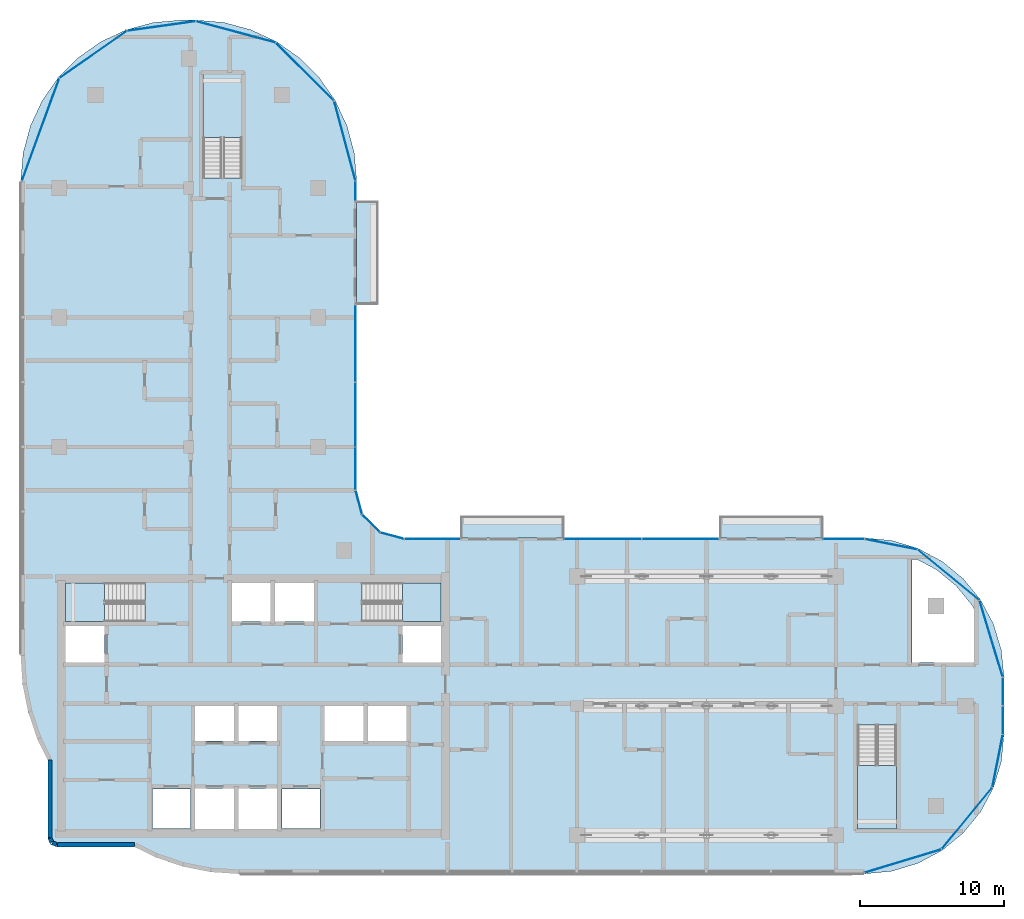
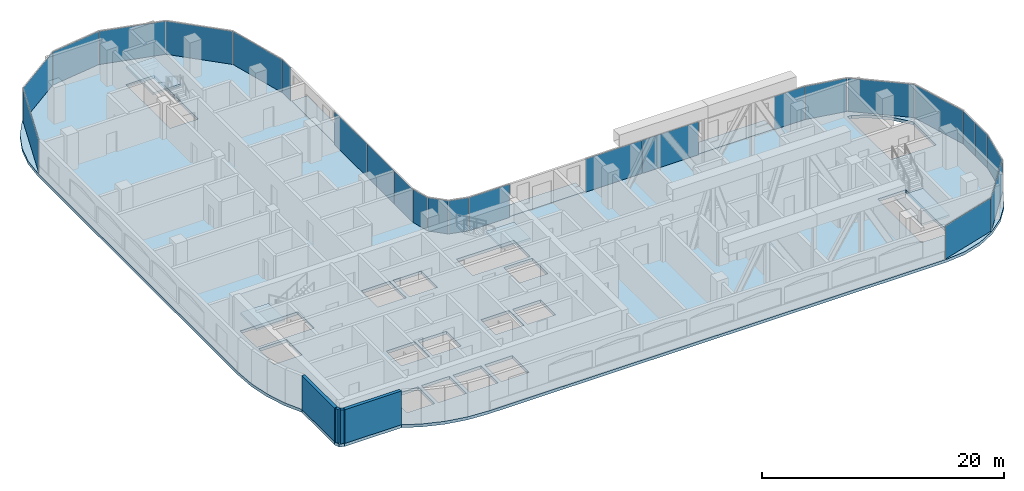
# One storey, part 8 of 25: 25 plates, 8 slabs, 4 walls, 14 elements without a shape of their own.
"""IFC4 building model written with IfcOpenShell, lengths in metres."""

from ifc_helpers import new_model, si_unit, direction, frame, frame_2d, origin, origin_2d, place, context, subcontext, project, spatial, polyline, rectangle, outline, extrude, material, layer, layer_set, type_object, element, aggregate, save


model = new_model("IFC4")

# Units and contexts
model_context = context("Model", 3, precision=1e-05, world=origin(), true_north=direction((0.0, 1.0)))
body_context = subcontext(model_context, "Body", "Model", "MODEL_VIEW")
ifc_project = project(units=[si_unit("LENGTHUNIT", "METRE"), si_unit("AREAUNIT", "SQUARE_METRE"), si_unit("VOLUMEUNIT", "CUBIC_METRE"), si_unit("PLANEANGLEUNIT", "RADIAN"), si_unit("MASSUNIT", "GRAM", prefix="KILO")], contexts=[model_context])

# Site, building, storey
site_placement = place(None, origin())
site = spatial("IfcSite", under=ifc_project, at=site_placement, CompositionType="ELEMENT")
building_placement = place(site_placement, origin())
building = spatial("IfcBuilding", under=site, at=building_placement, Name="Ogive Portal Towers", CompositionType="ELEMENT")
storey_placement = place(building_placement, frame((0.0, 0.0, 182.89990234375)))
storey = spatial("IfcBuildingStorey", under=building, at=storey_placement, Name="L45", CompositionType="ELEMENT", Elevation=182.89990234375)

# Slabs
ifc_material_1 = material(Name="Concrete C40/50", Category="concrete")
ifc_layer_1 = layer(ifc_material_1, 0.199951171875)
ifc_layer_set_1 = layer_set([ifc_layer_1], Name="BALCONY SLAB 200")
slab_type_1 = type_object("IfcSlabType", Name="BALCONY SLAB 200", PredefinedType="FLOOR", material=ifc_layer_set_1)
slab_1_placement = place(storey_placement, frame((0.0, 0.0, -0.199951171875)))
element("IfcSlab", 1, at=slab_1_placement, inside=storey, type_object=slab_type_1, Name="Balcony T1", PredefinedType="FLOOR", context=body_context, shape_type="SweptSolid", body=[
    extrude(outline(polyline([(59.39990234375, 42.179931640625), (66.60009765625, 42.179931640625), (66.60009765625, 43.679931640625), (59.39990234375, 43.679931640625), (59.39990234375, 42.179931640625)])), origin(), (0.0, 0.0, 1.0), 0.199951171875),
])
slab_2_placement = place(storey_placement, frame((0.0, 0.0, -0.199951171875)))
element("IfcSlab", 2, at=slab_2_placement, inside=storey, type_object=slab_type_1, Name="Balcony T3", PredefinedType="FLOOR", context=body_context, shape_type="SweptSolid", body=[
    extrude(outline(polyline([(77.39990234375, 42.179931640625), (84.60009765625, 42.179931640625), (84.60009765625, 43.679931640625), (77.39990234375, 43.679931640625), (77.39990234375, 42.179931640625)])), origin(), (0.0, 0.0, 1.0), 0.199951171875),
])
slab_3_placement = place(storey_placement, frame((0.0, 0.0, -0.199951171875)))
element("IfcSlab", 3, at=slab_3_placement, inside=storey, type_object=slab_type_1, Name="Balcony S2", PredefinedType="FLOOR", context=body_context, shape_type="SweptSolid", body=[
    extrude(outline(polyline([(52.179931640625, 58.39990234375), (53.679931640625, 58.39990234375), (53.679931640625, 65.60009765625), (52.179931640625, 65.60009765625), (52.179931640625, 58.39990234375)])), origin(), (0.0, 0.0, 1.0), 0.199951171875),
])

# Curtain wall, plates
ifc_material_2 = material(Name="Glass, clear low-iron insulated glazing", Category="glass")
curtain_wall_type = type_object("IfcCurtainWallType", Name="CW FRONT RIBBON 4500", PredefinedType="NOTDEFINED", material=ifc_material_2)
curtain_wall_1_placement = place(storey_placement, origin())
curtain_wall_1 = element("IfcCurtainWall", 4, at=curtain_wall_1_placement, inside=storey, type_object=curtain_wall_type, Name="A:L45:f12:cw0", PredefinedType="NOTDEFINED")
ifc_layer_2 = layer(ifc_material_2, 0.028076171875)
ifc_layer_set_2 = layer_set([ifc_layer_2], Name="CW PANEL IGU 28")
plate_type = type_object("IfcPlateType", Name="CW PANEL IGU 28", PredefinedType="CURTAIN_PANEL", material=ifc_layer_set_2)
plate_1_placement = place(storey_placement, frame((97.10009765625, 29.50390625, 0.0), z_axis=(0.0, 0.0, 1.0), x_axis=(0.0, 1.0, 0.0)))
plate_1 = element("IfcPlate", 5, at=plate_1_placement, type_object=plate_type, Name="panel", PredefinedType="CURTAIN_PANEL", context=body_context, shape_type="SweptSolid", body=[
    extrude(rectangle(XDim=1.93212890625, YDim=0.028076171875, at=origin_2d()), origin(), (0.0, 0.0, 1.0), 3.340087890625),
])
plate_2_placement = place(storey_placement, frame((97.10009765625, 31.494140625, 0.0), z_axis=(0.0, 0.0, 1.0), x_axis=(0.0, 1.0, 0.0)))
plate_2 = element("IfcPlate", 6, at=plate_2_placement, type_object=plate_type, Name="panel", PredefinedType="CURTAIN_PANEL", context=body_context, shape_type="SweptSolid", body=[
    extrude(rectangle(XDim=1.92822265625, YDim=0.028076171875, at=origin_2d()), origin(), (0.0, 0.0, 1.0), 3.340087890625),
])
aggregate(curtain_wall_1, [plate_1, plate_2])

# Curtain wall, plate
curtain_wall_2_placement = place(storey_placement, origin())
curtain_wall_2 = element("IfcCurtainWall", 7, at=curtain_wall_2_placement, inside=storey, type_object=curtain_wall_type, Name="A:L45:f16:cw0", PredefinedType="NOTDEFINED")
plate_3_placement = place(storey_placement, frame((86.0419921875, 42.10009765625, 0.0), z_axis=(0.0, 0.0, 1.0), x_axis=(-1.0, 0.0, 0.0)))
plate_3 = element("IfcPlate", 8, at=plate_3_placement, type_object=plate_type, Name="panel", PredefinedType="CURTAIN_PANEL", context=body_context, shape_type="SweptSolid", body=[
    extrude(rectangle(XDim=2.84033203125, YDim=0.028076171875, at=origin_2d()), origin(), (0.0, 0.0, 1.0), 3.340087890625),
])
aggregate(curtain_wall_2, [plate_3])

# Curtain wall, plates
curtain_wall_3_placement = place(storey_placement, origin())
curtain_wall_3 = element("IfcCurtainWall", 9, at=curtain_wall_3_placement, inside=storey, type_object=curtain_wall_type, Name="A:L45:f16:cw1", PredefinedType="NOTDEFINED")
plate_4_placement = place(storey_placement, frame((74.695556640625, 42.10009765625, 0.0), z_axis=(0.0, 0.0, 1.0), x_axis=(-1.0, 0.0, 0.0)))
plate_4 = element("IfcPlate", 10, at=plate_4_placement, type_object=plate_type, Name="panel", PredefinedType="CURTAIN_PANEL", context=body_context, shape_type="SweptSolid", body=[
    extrude(rectangle(XDim=5.331298828125, YDim=0.028076171875, at=origin_2d()), origin(), (0.0, 0.0, 1.0), 3.340087890625),
])
plate_5_placement = place(storey_placement, frame((69.295166015625, 42.10009765625, 0.0), z_axis=(0.0, 0.0, 1.0), x_axis=(-1.0, 0.0, 0.0)))
plate_5 = element("IfcPlate", 11, at=plate_5_placement, type_object=plate_type, Name="panel", PredefinedType="CURTAIN_PANEL", context=body_context, shape_type="SweptSolid", body=[
    extrude(rectangle(XDim=5.349609375, YDim=0.028076171875, at=origin_2d()), origin(), (0.0, 0.0, 1.0), 3.340087890625),
])
aggregate(curtain_wall_3, [plate_4, plate_5])

# Curtain wall, plate
curtain_wall_4_placement = place(storey_placement, origin())
curtain_wall_4 = element("IfcCurtainWall", 12, at=curtain_wall_4_placement, inside=storey, type_object=curtain_wall_type, Name="A:L45:f16:cw2", PredefinedType="NOTDEFINED")
plate_6_placement = place(storey_placement, frame((57.439697265625, 42.10009765625, 0.0), z_axis=(0.0, 0.0, 1.0), x_axis=(-1.0, 0.0, 0.0)))
plate_6 = element("IfcPlate", 13, at=plate_6_placement, type_object=plate_type, Name="panel", PredefinedType="CURTAIN_PANEL", context=body_context, shape_type="SweptSolid", body=[
    extrude(rectangle(XDim=3.84033203125, YDim=0.028076171875, at=origin_2d()), origin(), (0.0, 0.0, 1.0), 3.340087890625),
])
aggregate(curtain_wall_4, [plate_6])

# Curtain wall, plates
curtain_wall_5_placement = place(storey_placement, origin())
curtain_wall_5 = element("IfcCurtainWall", 14, at=curtain_wall_5_placement, inside=storey, type_object=curtain_wall_type, Name="A:L45:f20:cw0", PredefinedType="NOTDEFINED")
plate_7_placement = place(storey_placement, frame((52.10009765625, 46.99462890625, 0.0), z_axis=(0.0, 0.0, 1.0), x_axis=(0.0, 1.0, 0.0)))
plate_7 = element("IfcPlate", 15, at=plate_7_placement, type_object=plate_type, Name="panel", PredefinedType="CURTAIN_PANEL", context=body_context, shape_type="SweptSolid", body=[
    extrude(rectangle(XDim=2.950439453125, YDim=0.028076171875, at=origin_2d()), origin(), (0.0, 0.0, 1.0), 3.340087890625),
])
plate_8_placement = place(storey_placement, frame((52.10009765625, 50.75, 0.0), z_axis=(0.0, 0.0, 1.0), x_axis=(0.0, 1.0, 0.0)))
plate_8 = element("IfcPlate", 16, at=plate_8_placement, type_object=plate_type, Name="panel", PredefinedType="CURTAIN_PANEL", context=body_context, shape_type="SweptSolid", body=[
    extrude(rectangle(XDim=4.43994140625, YDim=0.028076171875, at=origin_2d()), origin(), (0.0, 0.0, 1.0), 3.340087890625),
])
plate_9_placement = place(storey_placement, frame((52.10009765625, 55.69482421875, 0.0), z_axis=(0.0, 0.0, 1.0), x_axis=(0.0, 1.0, 0.0)))
plate_9 = element("IfcPlate", 17, at=plate_9_placement, type_object=plate_type, Name="panel", PredefinedType="CURTAIN_PANEL", context=body_context, shape_type="SweptSolid", body=[
    extrude(rectangle(XDim=5.32958984375, YDim=0.028076171875, at=origin_2d()), origin(), (0.0, 0.0, 1.0), 3.340087890625),
])
aggregate(curtain_wall_5, [plate_7, plate_8, plate_9])

# Curtain wall, plate
curtain_wall_6_placement = place(storey_placement, origin())
curtain_wall_6 = element("IfcCurtainWall", 18, at=curtain_wall_6_placement, inside=storey, type_object=curtain_wall_type, Name="A:L45:f20:cw1", PredefinedType="NOTDEFINED")
plate_10_placement = place(storey_placement, frame((52.10009765625, 66.28955078125, 0.0), z_axis=(0.0, 0.0, 1.0), x_axis=(0.0, 1.0, 0.0)))
plate_10 = element("IfcPlate", 19, at=plate_10_placement, type_object=plate_type, Name="panel", PredefinedType="CURTAIN_PANEL", context=body_context, shape_type="SweptSolid", body=[
    extrude(rectangle(XDim=1.340087890625, YDim=0.028076171875, at=origin_2d()), origin(), (0.0, 0.0, 1.0), 3.340087890625),
])
aggregate(curtain_wall_6, [plate_10])

# Curtain wall, plates
curtain_wall_7_placement = place(storey_placement, origin())
curtain_wall_7 = element("IfcCurtainWall", 20, at=curtain_wall_7_placement, inside=storey, type_object=curtain_wall_type, Name="A:L45:f09:cwa", PredefinedType="NOTDEFINED")
plate_11_placement = place(storey_placement, frame((90.159912109375, 19.71044921875, 0.0), z_axis=(0.0, 0.0, 1.0), x_axis=(0.956940335732, 0.290284677254, 0.0)))
plate_11 = element("IfcPlate", 21, at=plate_11_placement, type_object=plate_type, Name="panel", PredefinedType="CURTAIN_PANEL", context=body_context, shape_type="SweptSolid", body=[
    extrude(rectangle(XDim=5.523681640625, YDim=0.028076171875, at=origin_2d()), origin(), (0.0, 0.0, 1.0), 3.340087890625),
])
plate_12_placement = place(storey_placement, frame((94.60009765625, 22.67578125, 0.0), z_axis=(0.0, 0.0, 1.0), x_axis=(0.634393284164, 0.773010453363, 0.0)))
plate_12 = element("IfcPlate", 22, at=plate_12_placement, type_object=plate_type, Name="panel", PredefinedType="CURTAIN_PANEL", context=body_context, shape_type="SweptSolid", body=[
    extrude(rectangle(XDim=5.515625, YDim=0.028076171875, at=origin_2d()), origin(), (0.0, 0.0, 1.0), 3.340087890625),
])
plate_13_placement = place(storey_placement, frame((96.734375, 26.66943359375, 0.0), z_axis=(0.0, 0.0, 1.0), x_axis=(0.195090322016, 0.980785280403, 0.0)))
plate_13 = element("IfcPlate", 23, at=plate_13_placement, type_object=plate_type, Name="panel", PredefinedType="CURTAIN_PANEL", context=body_context, shape_type="SweptSolid", body=[
    extrude(rectangle(XDim=3.68896484375, YDim=0.028076171875, at=origin_2d()), origin(), (0.0, 0.0, 1.0), 3.340087890625),
])
aggregate(curtain_wall_7, [plate_11, plate_12, plate_13])

curtain_wall_8_placement = place(storey_placement, origin())
curtain_wall_8 = element("IfcCurtainWall", 24, at=curtain_wall_8_placement, inside=storey, type_object=curtain_wall_type, Name="A:L45:f13:cwa", PredefinedType="NOTDEFINED")
plate_14_placement = place(storey_placement, frame((96.28955078125, 35.159912109375, 0.0), z_axis=(0.0, 0.0, 1.0), x_axis=(-0.290284677254, 0.956940335732, 0.0)))
plate_14 = element("IfcPlate", 25, at=plate_14_placement, type_object=plate_type, Name="panel", PredefinedType="CURTAIN_PANEL", context=body_context, shape_type="SweptSolid", body=[
    extrude(rectangle(XDim=5.523681640625, YDim=0.028076171875, at=origin_2d()), origin(), (0.0, 0.0, 1.0), 3.340087890625),
])
plate_15_placement = place(storey_placement, frame((93.32421875, 39.60009765625, 0.0), z_axis=(0.0, 0.0, 1.0), x_axis=(-0.773010453363, 0.634393284164, 0.0)))
plate_15 = element("IfcPlate", 26, at=plate_15_placement, type_object=plate_type, Name="panel", PredefinedType="CURTAIN_PANEL", context=body_context, shape_type="SweptSolid", body=[
    extrude(rectangle(XDim=5.515625, YDim=0.028076171875, at=origin_2d()), origin(), (0.0, 0.0, 1.0), 3.340087890625),
])
plate_16_placement = place(storey_placement, frame((89.33056640625, 41.734375, 0.0), z_axis=(0.0, 0.0, 1.0), x_axis=(-0.980785280403, 0.195090322016, 0.0)))
plate_16 = element("IfcPlate", 27, at=plate_16_placement, type_object=plate_type, Name="panel", PredefinedType="CURTAIN_PANEL", context=body_context, shape_type="SweptSolid", body=[
    extrude(rectangle(XDim=3.68896484375, YDim=0.028076171875, at=origin_2d()), origin(), (0.0, 0.0, 1.0), 3.340087890625),
])
aggregate(curtain_wall_8, [plate_14, plate_15, plate_16])

curtain_wall_9_placement = place(storey_placement, origin())
curtain_wall_9 = element("IfcCurtainWall", 28, at=curtain_wall_9_placement, inside=storey, type_object=curtain_wall_type, Name="A:L45:f17:cwa", PredefinedType="NOTDEFINED")
plate_17_placement = place(storey_placement, frame((54.64404296875, 42.326416015625, 0.0), z_axis=(0.0, 0.0, 1.0), x_axis=(-0.965925826289, 0.258819045103, 0.0)))
plate_17 = element("IfcPlate", 29, at=plate_17_placement, type_object=plate_type, Name="panel", PredefinedType="CURTAIN_PANEL", context=body_context, shape_type="SweptSolid", body=[
    extrude(rectangle(XDim=1.6904296875, YDim=0.028076171875, at=origin_2d()), origin(), (0.0, 0.0, 1.0), 3.340087890625),
])
plate_18_placement = place(storey_placement, frame((53.17578125, 43.17578125, 0.0), z_axis=(0.0, 0.0, 1.0), x_axis=(-0.707106781187, 0.707106781187, 0.0)))
plate_18 = element("IfcPlate", 30, at=plate_18_placement, type_object=plate_type, Name="panel", PredefinedType="CURTAIN_PANEL", context=body_context, shape_type="SweptSolid", body=[
    extrude(rectangle(XDim=1.701416015625, YDim=0.028076171875, at=origin_2d()), origin(), (0.0, 0.0, 1.0), 3.340087890625),
])
plate_19_placement = place(storey_placement, frame((52.326416015625, 44.64404296875, 0.0), z_axis=(0.0, 0.0, 1.0), x_axis=(-0.258819045103, 0.965925826289, 0.0)))
plate_19 = element("IfcPlate", 31, at=plate_19_placement, type_object=plate_type, Name="panel", PredefinedType="CURTAIN_PANEL", context=body_context, shape_type="SweptSolid", body=[
    extrude(rectangle(XDim=1.6904296875, YDim=0.028076171875, at=origin_2d()), origin(), (0.0, 0.0, 1.0), 3.340087890625),
])
aggregate(curtain_wall_9, [plate_17, plate_18, plate_19])

curtain_wall_10_placement = place(storey_placement, origin())
curtain_wall_10 = element("IfcCurtainWall", 32, at=curtain_wall_10_placement, inside=storey, type_object=curtain_wall_type, Name="A:L45:f21:cwa", PredefinedType="NOTDEFINED")
plate_20_placement = place(storey_placement, frame((51.355224609375, 69.76904296875, 0.0), z_axis=(0.0, 0.0, 1.0), x_axis=(-0.258819045103, 0.965925826289, 0.0)))
plate_20 = element("IfcPlate", 33, at=plate_20_placement, type_object=plate_type, Name="panel", PredefinedType="CURTAIN_PANEL", context=body_context, shape_type="SweptSolid", body=[
    extrude(rectangle(XDim=5.6953125, YDim=0.028076171875, at=origin_2d()), origin(), (0.0, 0.0, 1.0), 3.340087890625),
])
plate_21_placement = place(storey_placement, frame((48.57958984375, 74.57958984375, 0.0), z_axis=(0.0, 0.0, 1.0), x_axis=(-0.707106781187, 0.707106781187, 0.0)))
plate_21 = element("IfcPlate", 34, at=plate_21_placement, type_object=plate_type, Name="panel", PredefinedType="CURTAIN_PANEL", context=body_context, shape_type="SweptSolid", body=[
    extrude(rectangle(XDim=5.684326171875, YDim=0.028076171875, at=origin_2d()), origin(), (0.0, 0.0, 1.0), 3.340087890625),
])
plate_22_placement = place(storey_placement, frame((43.771728515625, 77.3544921875, 0.0), z_axis=(0.0, 0.0, 1.0), x_axis=(-0.965925826289, 0.258819045103, 0.0)))
plate_22 = element("IfcPlate", 35, at=plate_22_placement, type_object=plate_type, Name="panel", PredefinedType="CURTAIN_PANEL", context=body_context, shape_type="SweptSolid", body=[
    extrude(rectangle(XDim=5.689453125, YDim=0.028076171875, at=origin_2d()), origin(), (0.0, 0.0, 1.0), 3.340087890625),
])
plate_23_placement = place(storey_placement, frame((38.6005859375, 77.763916015625, 0.0), z_axis=(0.0, 0.0, 1.0), x_axis=(-0.990372546931, -0.13842766445, 0.0)))
plate_23 = element("IfcPlate", 36, at=plate_23_placement, type_object=plate_type, Name="panel", PredefinedType="CURTAIN_PANEL", context=body_context, shape_type="SweptSolid", body=[
    extrude(rectangle(XDim=4.775146484375, YDim=0.028076171875, at=origin_2d()), origin(), (0.0, 0.0, 1.0), 3.340087890625),
])
plate_24_placement = place(storey_placement, frame((33.854248046875, 75.7822265625, 0.0), z_axis=(0.0, 0.0, 1.0), x_axis=(-0.819152044289, -0.573576436351, 0.0)))
plate_24 = element("IfcPlate", 37, at=plate_24_placement, type_object=plate_type, Name="panel", PredefinedType="CURTAIN_PANEL", context=body_context, shape_type="SweptSolid", body=[
    extrude(rectangle(XDim=5.6826171875, YDim=0.028076171875, at=origin_2d()), origin(), (0.0, 0.0, 1.0), 3.340087890625),
])
plate_25_placement = place(storey_placement, frame((30.201171875, 70.560546875, 0.0), z_axis=(0.0, 0.0, 1.0), x_axis=(-0.342020143326, -0.939692620786, 0.0)))
plate_25 = element("IfcPlate", 38, at=plate_25_placement, type_object=plate_type, Name="panel", PredefinedType="CURTAIN_PANEL", context=body_context, shape_type="SweptSolid", body=[
    extrude(rectangle(XDim=7.54833984375, YDim=0.028076171875, at=origin_2d()), origin(), (0.0, 0.0, 1.0), 3.340087890625),
])
aggregate(curtain_wall_10, [plate_20, plate_21, plate_22, plate_23, plate_24, plate_25])

# Stair, slab
stair_type = type_object("IfcStairType", Name="INT-STAIR", PredefinedType="HALF_TURN_STAIR", material=ifc_material_1)
stair_1_placement = place(storey_placement, origin())
stair_1 = element("IfcStair", 39, at=stair_1_placement, inside=storey, type_object=stair_type, Name="L45 Exit Stair ST-A1", PredefinedType="HALF_TURN_STAIR")
ifc_layer_3 = layer(ifc_material_1, 0.199951171875)
ifc_layer_set_3 = layer_set([ifc_layer_3], Name="INT-LANDING")
slab_type_2 = type_object("IfcSlabType", Name="INT-LANDING", PredefinedType="LANDING", material=ifc_layer_set_3)
slab_4_placement = place(storey_placement, frame((0.0, 0.0, 1.650146484375)))
slab_4 = element("IfcSlab", 40, at=slab_4_placement, type_object=slab_type_2, Name="ST-A1 landing 1", PredefinedType="LANDING", context=body_context, shape_type="SweptSolid", body=[
    extrude(outline(polyline([(34.64990234375, 39.050048828125), (31.949951171875, 39.050048828125), (31.949951171875, 36.35009765625), (34.64990234375, 36.35009765625), (34.64990234375, 39.050048828125)])), origin(), (0.0, 0.0, 1.0), 0.199951171875),
])
aggregate(stair_1, [slab_4])

stair_2_placement = place(storey_placement, origin())
stair_2 = element("IfcStair", 41, at=stair_2_placement, inside=storey, type_object=stair_type, Name="L45 Exit Stair ST-A2", PredefinedType="HALF_TURN_STAIR")
slab_5_placement = place(storey_placement, frame((0.0, 0.0, 1.650146484375)))
slab_5 = element("IfcSlab", 42, at=slab_5_placement, type_object=slab_type_2, Name="ST-A2 landing 1", PredefinedType="LANDING", context=body_context, shape_type="SweptSolid", body=[
    extrude(outline(polyline([(55.35009765625, 36.35009765625), (58.050048828125, 36.35009765625), (58.050048828125, 39.050048828125), (55.35009765625, 39.050048828125), (55.35009765625, 36.35009765625)])), origin(), (0.0, 0.0, 1.0), 0.199951171875),
])
aggregate(stair_2, [slab_5])

stair_3_placement = place(storey_placement, origin())
stair_3 = element("IfcStair", 43, at=stair_3_placement, inside=storey, type_object=stair_type, Name="L45 Exit Stair ST-A3", PredefinedType="HALF_TURN_STAIR")
slab_6_placement = place(storey_placement, frame((0.0, 0.0, 1.650146484375)))
slab_6 = element("IfcSlab", 44, at=slab_6_placement, type_object=slab_type_2, Name="ST-A3 landing 1", PredefinedType="LANDING", context=body_context, shape_type="SweptSolid", body=[
    extrude(outline(polyline([(44.199951171875, 70.0), (44.199951171875, 74.449951171875), (41.5, 74.449951171875), (41.5, 70.0), (44.199951171875, 70.0)])), origin(), (0.0, 0.0, 1.0), 0.199951171875),
])
aggregate(stair_3, [slab_6])

stair_4_placement = place(storey_placement, origin())
stair_4 = element("IfcStair", 45, at=stair_4_placement, inside=storey, type_object=stair_type, Name="L45 Exit Stair ST-A4", PredefinedType="HALF_TURN_STAIR")
slab_7_placement = place(storey_placement, frame((0.0, 0.0, 1.650146484375)))
slab_7 = element("IfcSlab", 46, at=slab_7_placement, type_object=slab_type_2, Name="ST-A4 landing 1", PredefinedType="LANDING", context=body_context, shape_type="SweptSolid", body=[
    extrude(outline(polyline([(87.0, 26.3701171875), (87.0, 21.949951171875), (89.699951171875, 21.949951171875), (89.699951171875, 26.3701171875), (87.0, 26.3701171875)])), origin(), (0.0, 0.0, 1.0), 0.199951171875),
])
aggregate(stair_4, [slab_7])

# Slab
ifc_material_3 = material(Name="Concrete C45/55", Category="concrete")
ifc_layer_4 = layer(ifc_material_3, 0.300048828125)
ifc_layer_set_4 = layer_set([ifc_layer_4], Name="PT FLAT PLATE 300")
slab_type_3 = type_object("IfcSlabType", Name="PT FLAT PLATE 300", PredefinedType="FLOOR", material=ifc_layer_set_4)
slab_8_placement = place(storey_placement, frame((0.0, 0.0, -0.2998046875)))
element("IfcSlab", 47, at=slab_8_placement, inside=storey, type_object=slab_type_3, Name="Floor slab L45", PredefinedType="FLOOR", context=body_context, shape_type="SweptSolid", body=[
    extrude(outline(polyline([(29.337158203125, 30.071044921875), (29.9755859375, 28.19091796875), (30.699951171875, 26.7216796875), (30.699951171875, 21.300048828125), (30.875732421875, 20.875732421875), (31.300048828125, 20.699951171875), (36.7216796875, 20.699951171875), (38.19091796875, 19.9755859375), (40.071044921875, 19.337158203125), (42.0185546875, 18.949951171875), (44.0, 18.820068359375), (87.5, 18.820068359375), (89.388427734375, 19.006103515625), (91.204345703125, 19.556884765625), (92.8779296875, 20.451416015625), (94.3447265625, 21.6552734375), (95.548583984375, 23.1220703125), (96.443115234375, 24.795654296875), (96.993896484375, 26.611572265625), (97.179931640625, 28.5), (97.179931640625, 32.5), (96.993896484375, 34.388427734375), (96.443115234375, 36.204345703125), (95.548583984375, 37.8779296875), (94.3447265625, 39.3447265625), (92.8779296875, 40.548583984375), (91.204345703125, 41.443115234375), (89.388427734375, 41.993896484375), (87.5, 42.179931640625), (55.5, 42.179931640625), (53.840087890625, 42.624755859375), (52.624755859375, 43.840087890625), (52.179931640625, 45.5), (52.179931640625, 67.0), (52.01025390625, 68.94140625), (51.505859375, 70.82373046875), (50.68212890625, 72.590087890625), (49.564453125, 74.186279296875), (48.186279296875, 75.564453125), (46.590087890625, 76.68212890625), (44.82373046875, 77.505859375), (42.94140625, 78.01025390625), (41.0, 78.179931640625), (40.0, 78.179931640625), (38.05859375, 78.01025390625), (36.17626953125, 77.505859375), (34.409912109375, 76.68212890625), (32.813720703125, 75.564453125), (31.435546875, 74.186279296875), (30.31787109375, 72.590087890625), (29.494140625, 70.82373046875), (28.98974609375, 68.94140625), (28.820068359375, 67.0), (28.820068359375, 34.0), (28.949951171875, 32.0185546875), (29.337158203125, 30.071044921875)]), holes=[polyline([(40.6298828125, 21.969970703125), (37.969970703125, 21.969970703125), (37.969970703125, 24.72998046875), (40.6298828125, 24.72998046875), (40.6298828125, 21.969970703125)]), polyline([(43.64990234375, 24.75), (43.64990234375, 21.949951171875), (40.949951171875, 21.949951171875), (40.949951171875, 24.75), (43.64990234375, 24.75)]), polyline([(46.64990234375, 24.75), (46.64990234375, 21.949951171875), (43.949951171875, 21.949951171875), (43.949951171875, 24.75), (46.64990234375, 24.75)]), polyline([(43.64990234375, 30.5), (43.64990234375, 28.050048828125), (40.949951171875, 28.050048828125), (40.949951171875, 30.5), (43.64990234375, 30.5)]), polyline([(46.64990234375, 30.5), (46.64990234375, 28.050048828125), (43.949951171875, 28.050048828125), (43.949951171875, 30.5), (46.64990234375, 30.5)]), polyline([(34.64990234375, 36.050048828125), (34.64990234375, 33.5), (31.949951171875, 33.5), (31.949951171875, 36.050048828125), (34.64990234375, 36.050048828125)]), polyline([(31.951904296875, 39.048095703125), (37.447998046875, 39.048095703125), (37.447998046875, 36.35205078125), (31.951904296875, 36.35205078125), (31.951904296875, 39.048095703125)]), polyline([(46.199951171875, 39.050048828125), (46.199951171875, 36.35009765625), (43.5, 36.35009765625), (43.5, 39.050048828125), (46.199951171875, 39.050048828125)]), polyline([(44.197998046875, 74.447998046875), (44.197998046875, 67.201904296875), (41.501953125, 67.201904296875), (41.501953125, 74.447998046875), (44.197998046875, 74.447998046875)]), polyline([(49.6298828125, 21.969970703125), (46.969970703125, 21.969970703125), (46.969970703125, 24.72998046875), (49.6298828125, 24.72998046875), (49.6298828125, 21.969970703125)]), polyline([(87.001953125, 21.951904296875), (87.001953125, 29.16796875), (89.697998046875, 29.16796875), (89.697998046875, 21.951904296875), (87.001953125, 21.951904296875)]), polyline([(52.64990234375, 30.5), (52.64990234375, 28.050048828125), (49.949951171875, 28.050048828125), (49.949951171875, 30.5), (52.64990234375, 30.5)]), polyline([(55.64990234375, 30.5), (55.64990234375, 28.050048828125), (52.949951171875, 28.050048828125), (52.949951171875, 30.5), (55.64990234375, 30.5)]), polyline([(58.050048828125, 36.050048828125), (58.050048828125, 33.5), (55.35009765625, 33.5), (55.35009765625, 36.050048828125), (58.050048828125, 36.050048828125)]), polyline([(93.847412109375, 38.847412109375), (94.9638671875, 37.487060546875), (95.080078125, 37.269775390625), (95.080078125, 33.52001953125), (90.77001953125, 33.52001953125), (90.77001953125, 40.679931640625), (91.147216796875, 40.679931640625), (92.487060546875, 39.9638671875), (93.847412109375, 38.847412109375)]), polyline([(49.199951171875, 36.35009765625), (46.5, 36.35009765625), (46.5, 39.050048828125), (49.199951171875, 39.050048828125), (49.199951171875, 36.35009765625)]), polyline([(52.552001953125, 36.35205078125), (52.552001953125, 39.048095703125), (58.048095703125, 39.048095703125), (58.048095703125, 36.35205078125), (52.552001953125, 36.35205078125)])]), origin(), (0.0, 0.0, 1.0), 0.2998046875),
])

# Walls
ifc_material_4 = material(Name="Limestone cladding on lightweight block wall", Category="masonry")
ifc_layer_5 = layer(ifc_material_4, 0.300048828125)
ifc_layer_set_5 = layer_set([ifc_layer_5], Name="EXTERNAL WALL 300 STONE")
wall_type = type_object("IfcWallType", Name="EXTERNAL WALL 300 STONE", PredefinedType="SOLIDWALL", material=ifc_layer_set_5)
wall_1_placement = place(storey_placement, frame((30.85009765625, 26.7216796875, 0.0), z_axis=(0.0, 0.0, 1.0), x_axis=(0.0, -1.0, 0.0)))
element("IfcWall", 48, at=wall_1_placement, inside=storey, type_object=wall_type, Name="A:L45:f00:r0:wall", PredefinedType="SOLIDWALL", context=body_context, shape_type="SweptSolid", body=[
    extrude(rectangle(XDim=5.362060546875, YDim=0.300048828125, at=frame_2d((2.68115234375, 0.0))), origin(), (0.0, 0.0, 1.0), 3.400146484375),
])
for number, where, z_axis, x_axis, name in (
    (49, (30.861328125, 21.30224609375, 0.0), (0.0, 0.0, 1.0), (0.38297812142, -0.923757413239, 0.0), "A:L45:f01:r0:wall"),
    (50, (31.0478515625, 20.966796875, 0.0), (0.0, 0.0, 1.0), (0.923757413239, -0.38297812142, 0.0), "A:L45:f02:r0:wall"),
):
    element("IfcWall", number, at=place(storey_placement, frame(where, z_axis=z_axis, x_axis=x_axis)), inside=storey, type_object=wall_type, Name=name, PredefinedType="SOLIDWALL", context=body_context, shape_type="SweptSolid", body=[
        extrude(rectangle(XDim=0.275390625, YDim=0.300048828125, at=frame_2d((0.1376953125, 0.0))), origin(), (0.0, 0.0, 1.0), 3.400146484375),
    ])
wall_2_placement = place(storey_placement, frame((31.359619140625, 20.85009765625, 0.0), z_axis=(0.0, 0.0, 1.0), x_axis=(1.0, 0.0, 0.0)))
element("IfcWall", 51, at=wall_2_placement, inside=storey, type_object=wall_type, Name="A:L45:f03:r0:wall", PredefinedType="SOLIDWALL", context=body_context, shape_type="SweptSolid", body=[
    extrude(rectangle(XDim=5.362060546875, YDim=0.300048828125, at=frame_2d((2.68115234375, 0.0))), origin(), (0.0, 0.0, 1.0), 3.400146484375),
])

save(model, "model.ifc")
